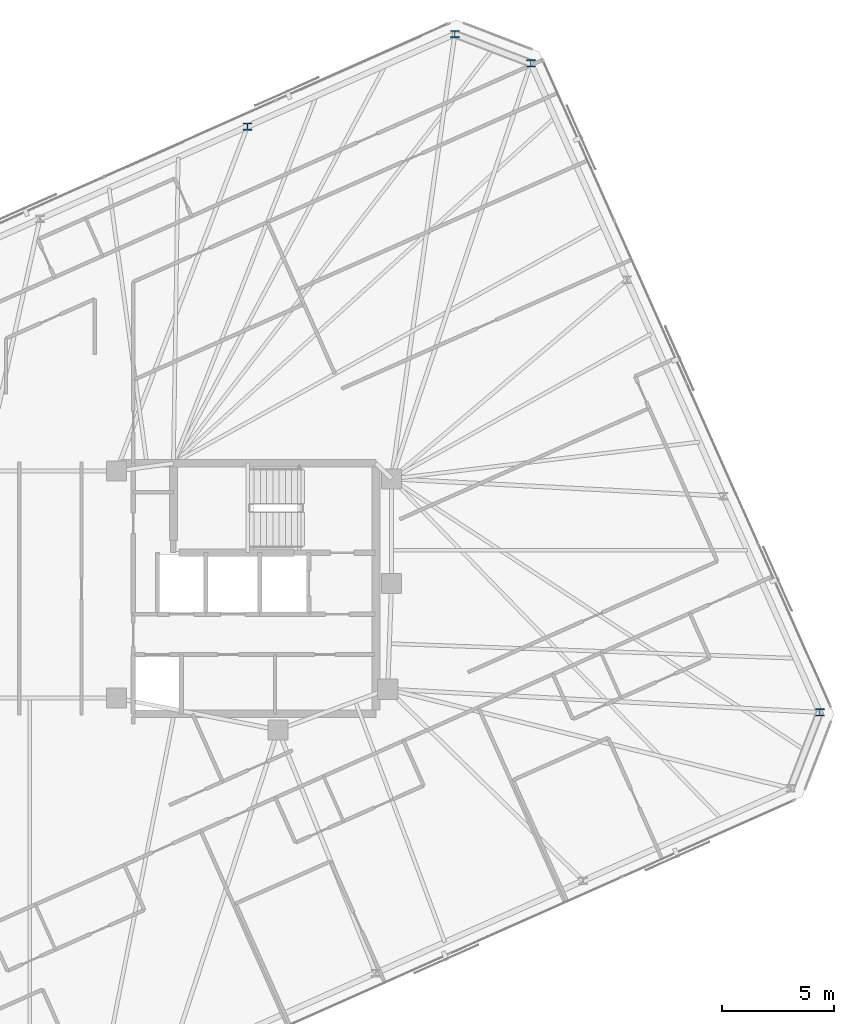
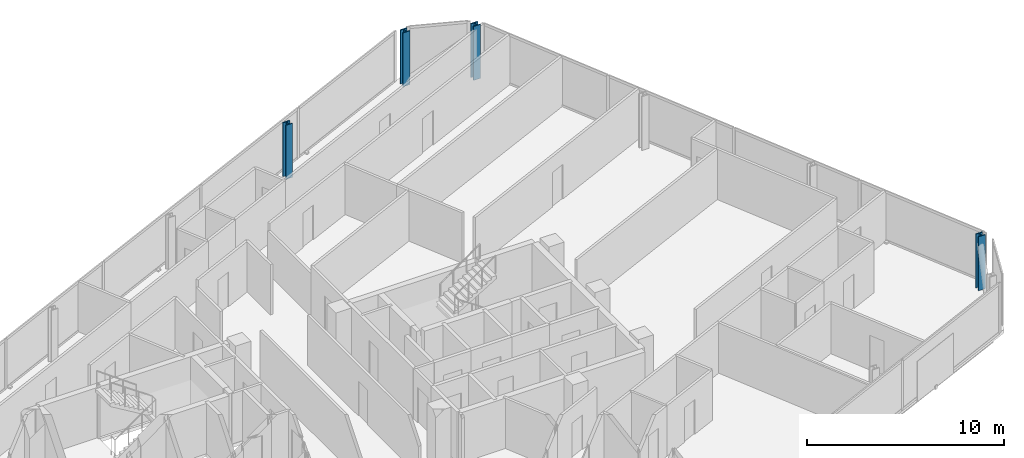
# One storey, part 4 of 19: 4 columns.
"""IFC4 building model written with IfcOpenShell, lengths in metres."""

from ifc_helpers import new_model, si_unit, direction, frame, origin, origin_2d, place, context, subcontext, project, spatial, i_section, extrude, material, material_profile, profile_set, type_object, element, save


model = new_model("IFC4")

# Units and contexts
model_context = context("Model", 3, precision=1e-05, world=origin(), true_north=direction((0.0, 1.0)))
body_context = subcontext(model_context, "Body", "Model", "MODEL_VIEW")
ifc_project = project(units=[si_unit("LENGTHUNIT", "METRE"), si_unit("AREAUNIT", "SQUARE_METRE"), si_unit("VOLUMEUNIT", "CUBIC_METRE"), si_unit("PLANEANGLEUNIT", "RADIAN"), si_unit("MASSUNIT", "GRAM", prefix="KILO")], contexts=[model_context])

# Site, building, storey
site_placement = place(None, origin())
site = spatial("IfcSite", under=ifc_project, at=site_placement, CompositionType="ELEMENT")
building_placement = place(site_placement, origin())
building = spatial("IfcBuilding", under=site, at=building_placement, Name="Menara Jurai Vektor", CompositionType="ELEMENT")
storey_placement = place(building_placement, frame((0.0, 0.0, 295.300048828125)))
storey = spatial("IfcBuildingStorey", under=building, at=storey_placement, Name="L79", CompositionType="ELEMENT", Elevation=295.300048828125)

# Columns
ifc_material = material(Name="Steel S460", Category="steel")
ifc_material_profile = material_profile(ifc_material, i_section(OverallWidth=0.40087890625, OverallDepth=0.3349609375, WebThickness=0.035888671875, FlangeThickness=0.05810546875, FilletRadius=0.014892578125, at=origin_2d()), Name="HD 400x463")
ifc_profile_set = profile_set([ifc_material_profile], Name="Steel S460")
column_type = type_object("IfcColumnType", Name="STR-EXO-BLK5", PredefinedType="COLUMN", material=ifc_profile_set)
for number, where, z_axis, x_axis, name in (
    (1, (34.3916015625, -5.536865234375, 0.0), (0.0, 0.0, 1.0), (1.0, 0.0, 0.0), "Exoskeleton Column BLK5-E1 L79"),
    (2, (21.4755859375, 23.473388671875, 0.0), (0.0, 0.0, 1.0), (1.0, 0.0, 0.0), "Exoskeleton Column BLK5-E4 L79"),
    (3, (18.07958984375, 24.777099609375, 0.0), (0.0, 0.0, 1.0), (1.0, 0.0, 0.0), "Exoskeleton Column BLK5-N1 L79"),
    (4, (8.805908203125, 20.648193359375, 0.0), (0.0, 0.0, 1.0), (1.0, 0.0, 0.0), "Exoskeleton Column BLK5-N2 L79"),
):
    element("IfcColumn", number, at=place(storey_placement, frame(where, z_axis=z_axis, x_axis=x_axis)), inside=storey, type_object=column_type, Name=name, PredefinedType="COLUMN", context=body_context, shape_type="SweptSolid", body=[
        extrude(i_section(OverallWidth=0.40087890625, OverallDepth=0.3349609375, WebThickness=0.035888671875, FlangeThickness=0.05810546875, FilletRadius=0.014892578125, at=origin_2d()), origin(), (0.0, 0.0, 1.0), 3.349853515625),
    ])

save(model, "model.ifc")
